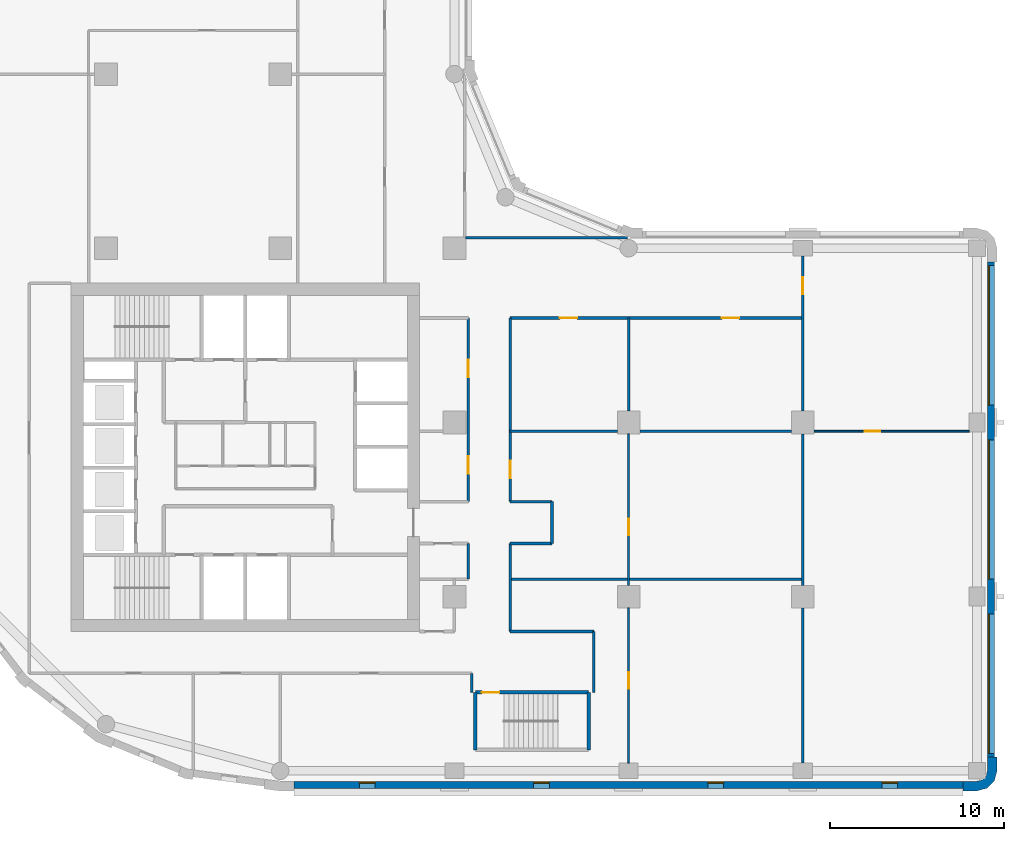
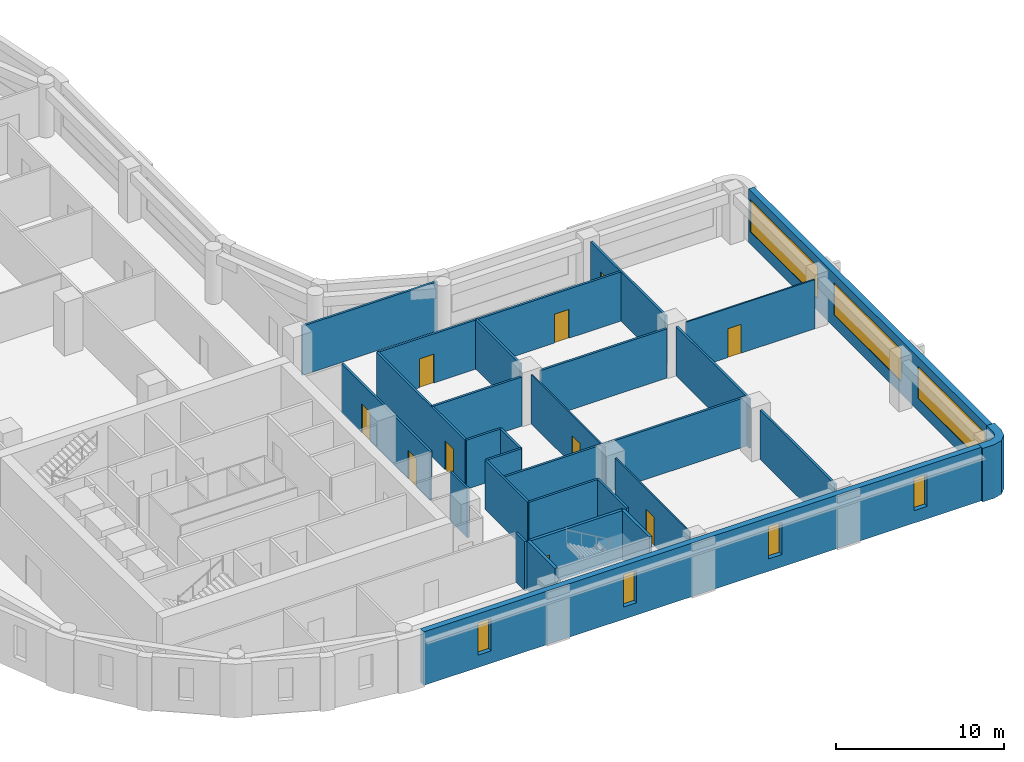
# One storey, part 4 of 9: 28 walls, 10 doors, 7 windows, 17 openings.
"""IFC4 building model written with IfcOpenShell, lengths in metres."""

from ifc_helpers import new_model, si_unit, direction, frame, frame_2d, origin, place, context, subcontext, project, spatial, polyline, rectangle, outline, extrude, material, layer, layer_set, type_object, element, fill, save


model = new_model("IFC4")

# Units and contexts
model_context = context("Model", 3, precision=1e-05, world=origin(), true_north=direction((0.0, 1.0)))
body_context = subcontext(model_context, "Body", "Model", "MODEL_VIEW")
ifc_project = project(units=[si_unit("LENGTHUNIT", "METRE"), si_unit("AREAUNIT", "SQUARE_METRE"), si_unit("VOLUMEUNIT", "CUBIC_METRE"), si_unit("PLANEANGLEUNIT", "RADIAN"), si_unit("MASSUNIT", "GRAM", prefix="KILO")], contexts=[model_context])

# Site, building, storey
site_placement = place(None, origin())
site = spatial("IfcSite", under=ifc_project, at=site_placement, CompositionType="ELEMENT")
building_placement = place(site_placement, origin())
building = spatial("IfcBuilding", under=site, at=building_placement, Name="Qaws Garden Tower", CompositionType="ELEMENT")
storey_placement = place(building_placement, frame((0.0, 0.0, 155.10009765625)))
storey = spatial("IfcBuildingStorey", under=building, at=storey_placement, Name="L37", CompositionType="ELEMENT", Elevation=155.10009765625)

# Wall
ifc_material_1 = material(Name="Clay facing brick masonry", Category="masonry")
ifc_layer_1 = layer(ifc_material_1, 0.550048828125)
ifc_layer_set_1 = layer_set([ifc_layer_1], Name="Clay facing brick masonry")
wall_type_1 = type_object("IfcWallType", Name="Brick corner pier 550 x 2400", PredefinedType="SOLIDWALL", material=ifc_layer_set_1)
wall_1_placement = place(storey_placement, origin())
element("IfcWall", 1, at=wall_1_placement, inside=storey, type_object=wall_type_1, Name="E-L37-pier-04", PredefinedType="SOLIDWALL", context=body_context, shape_type="SweptSolid", body=[
    extrude(outline(polyline([(59.199951171875, -1.0), (59.199951171875, -1.14990234375), (60.0, -1.14990234375), (60.574951171875, -0.995849609375), (60.995849609375, -0.574951171875), (61.14990234375, 0.0), (61.14990234375, 0.800048828125), (61.0, 0.800048828125), (60.60009765625, 0.800048828125), (60.60009765625, 0.0), (60.51953125, -0.300048828125), (60.300048828125, -0.51953125), (60.0, -0.60009765625), (59.199951171875, -0.60009765625), (59.199951171875, -1.0)])), origin(), (0.0, 0.0, 1.0), 3.89990234375),
])

# Wall, openings, windows
ifc_material_2 = material(Name="Clay facing brick masonry", Category="masonry")
ifc_layer_2 = layer(ifc_material_2, 0.39990234375)
ifc_layer_set_2 = layer_set([ifc_layer_2], Name="Clay facing brick masonry")
wall_type_2 = type_object("IfcWallType", Name="Brick infill wall 400", PredefinedType="SOLIDWALL", material=ifc_layer_set_2)
wall_2_placement = place(storey_placement, frame((20.800048828125, -0.800048828125, 0.0), z_axis=(0.0, 0.0, 1.0), x_axis=(1.0, 0.0, 0.0)))
wall_2 = element("IfcWall", 2, at=wall_2_placement, inside=storey, type_object=wall_type_2, Name="E-L37-infill-00", PredefinedType="SOLIDWALL", context=body_context, shape_type="SweptSolid", body=[
    extrude(rectangle(XDim=38.39990234375, YDim=0.39990234375, at=frame_2d((19.199951171875, 0.0))), origin(), (0.0, 0.0, 1.0), 3.89990234375),
])
opening_1_placement = place(wall_2_placement, frame((3.75, 0.0, 0.89990234375)))
opening_1 = element("IfcOpeningElement", 3, at=opening_1_placement, cuts=wall_2, Name="Opening W09", PredefinedType="OPENING", context=body_context, shape_type="SweptSolid", body=[
    extrude(rectangle(XDim=0.89990234375, YDim=2.35009765625, at=frame_2d((0.449951171875, 1.175048828125))), frame((0.0, 0.2099609375, 0.0), z_axis=(0.0, -1.0, 0.0), x_axis=(1.0, 0.0, 0.0)), (0.0, 0.0, 1.0), 0.419921875),
])
opening_2_placement = place(wall_2_placement, frame((13.75, 0.0, 0.89990234375)))
opening_2 = element("IfcOpeningElement", 4, at=opening_2_placement, cuts=wall_2, Name="Opening W09", PredefinedType="OPENING", context=body_context, shape_type="SweptSolid", body=[
    extrude(rectangle(XDim=0.89990234375, YDim=2.35009765625, at=frame_2d((0.449951171875, 1.175048828125))), frame((0.0, 0.2099609375, 0.0), z_axis=(0.0, -1.0, 0.0), x_axis=(1.0, 0.0, 0.0)), (0.0, 0.0, 1.0), 0.419921875),
])
opening_3_placement = place(wall_2_placement, frame((23.75, 0.0, 0.89990234375)))
opening_3 = element("IfcOpeningElement", 5, at=opening_3_placement, cuts=wall_2, Name="Opening W09", PredefinedType="OPENING", context=body_context, shape_type="SweptSolid", body=[
    extrude(rectangle(XDim=0.89990234375, YDim=2.35009765625, at=frame_2d((0.449951171875, 1.175048828125))), frame((0.0, 0.2099609375, 0.0), z_axis=(0.0, -1.0, 0.0), x_axis=(1.0, 0.0, 0.0)), (0.0, 0.0, 1.0), 0.419921875),
])
opening_4_placement = place(wall_2_placement, frame((33.75, 0.0, 0.89990234375)))
opening_4 = element("IfcOpeningElement", 6, at=opening_4_placement, cuts=wall_2, Name="Opening W09", PredefinedType="OPENING", context=body_context, shape_type="SweptSolid", body=[
    extrude(rectangle(XDim=0.89990234375, YDim=2.35009765625, at=frame_2d((0.449951171875, 1.175048828125))), frame((0.0, 0.2099609375, 0.0), z_axis=(0.0, -1.0, 0.0), x_axis=(1.0, 0.0, 0.0)), (0.0, 0.0, 1.0), 0.419921875),
])
ifc_material_3 = material(Name="Aluminium framed window, clear glazing", Category="aluminium")
window_type_1 = type_object("IfcWindowType", Name="Slit window 900 x 2350", PartitioningType="SINGLE_PANEL", PredefinedType="WINDOW", material=ifc_material_3)
window_1_placement = place(opening_1_placement, origin())
window_1 = element("IfcWindow", 7, at=window_1_placement, inside=storey, type_object=window_type_1, Name="E-L37-window-00-0", OverallHeight=2.35009765625, OverallWidth=0.89990234375, PartitioningType="SINGLE_PANEL", PredefinedType="WINDOW", context=body_context, shape_type="SweptSolid", body=[
    extrude(rectangle(XDim=0.89990234375, YDim=2.35009765625, at=frame_2d((0.449951171875, 1.175048828125))), frame((0.0, 0.159912109375, 0.0), z_axis=(0.0, -1.0, 0.0), x_axis=(1.0, 0.0, 0.0)), (0.0, 0.0, 1.0), 0.06005859375),
])
fill(opening_1, window_1)
window_2_placement = place(opening_2_placement, origin())
window_2 = element("IfcWindow", 8, at=window_2_placement, inside=storey, type_object=window_type_1, Name="E-L37-window-01-0", OverallHeight=2.35009765625, OverallWidth=0.89990234375, PartitioningType="SINGLE_PANEL", PredefinedType="WINDOW", context=body_context, shape_type="SweptSolid", body=[
    extrude(rectangle(XDim=0.89990234375, YDim=2.35009765625, at=frame_2d((0.449951171875, 1.175048828125))), frame((0.0, 0.159912109375, 0.0), z_axis=(0.0, -1.0, 0.0), x_axis=(1.0, 0.0, 0.0)), (0.0, 0.0, 1.0), 0.06005859375),
])
fill(opening_2, window_2)
window_3_placement = place(opening_3_placement, origin())
window_3 = element("IfcWindow", 9, at=window_3_placement, inside=storey, type_object=window_type_1, Name="E-L37-window-02-0", OverallHeight=2.35009765625, OverallWidth=0.89990234375, PartitioningType="SINGLE_PANEL", PredefinedType="WINDOW", context=body_context, shape_type="SweptSolid", body=[
    extrude(rectangle(XDim=0.89990234375, YDim=2.35009765625, at=frame_2d((0.449951171875, 1.175048828125))), frame((0.0, 0.159912109375, 0.0), z_axis=(0.0, -1.0, 0.0), x_axis=(1.0, 0.0, 0.0)), (0.0, 0.0, 1.0), 0.06005859375),
])
fill(opening_3, window_3)
window_4_placement = place(opening_4_placement, origin())
window_4 = element("IfcWindow", 10, at=window_4_placement, inside=storey, type_object=window_type_1, Name="E-L37-window-03-0", OverallHeight=2.35009765625, OverallWidth=0.89990234375, PartitioningType="SINGLE_PANEL", PredefinedType="WINDOW", context=body_context, shape_type="SweptSolid", body=[
    extrude(rectangle(XDim=0.89990234375, YDim=2.35009765625, at=frame_2d((0.449951171875, 1.175048828125))), frame((0.0, 0.159912109375, 0.0), z_axis=(0.0, -1.0, 0.0), x_axis=(1.0, 0.0, 0.0)), (0.0, 0.0, 1.0), 0.06005859375),
])
fill(opening_4, window_4)

wall_3_placement = place(storey_placement, frame((60.800048828125, 0.800048828125, 0.0), z_axis=(0.0, 0.0, 1.0), x_axis=(0.0, 1.0, 0.0)))
wall_3 = element("IfcWall", 11, at=wall_3_placement, inside=storey, type_object=wall_type_2, Name="E-L37-infill-04", PredefinedType="SOLIDWALL", context=body_context, shape_type="SweptSolid", body=[
    extrude(rectangle(XDim=28.39990234375, YDim=0.39990234375, at=frame_2d((14.199951171875, 0.0))), origin(), (0.0, 0.0, 1.0), 3.89990234375),
])
opening_5_placement = place(wall_3_placement, frame((0.199951171875, 0.0, 0.89990234375)))
opening_5 = element("IfcOpeningElement", 12, at=opening_5_placement, cuts=wall_3, Name="Opening W01", PredefinedType="OPENING", context=body_context, shape_type="SweptSolid", body=[
    extrude(rectangle(XDim=8.0, YDim=2.35009765625, at=frame_2d((4.0, 1.175048828125))), frame((0.0, 0.2099609375, 0.0), z_axis=(0.0, -1.0, 0.0), x_axis=(1.0, 0.0, 0.0)), (0.0, 0.0, 1.0), 0.419921875),
])
opening_6_placement = place(wall_3_placement, frame((10.199951171875, 0.0, 0.89990234375)))
opening_6 = element("IfcOpeningElement", 13, at=opening_6_placement, cuts=wall_3, Name="Opening W01", PredefinedType="OPENING", context=body_context, shape_type="SweptSolid", body=[
    extrude(rectangle(XDim=8.0, YDim=2.35009765625, at=frame_2d((4.0, 1.175048828125))), frame((0.0, 0.2099609375, 0.0), z_axis=(0.0, -1.0, 0.0), x_axis=(1.0, 0.0, 0.0)), (0.0, 0.0, 1.0), 0.419921875),
])
opening_7_placement = place(wall_3_placement, frame((20.199951171875, 0.0, 0.89990234375)))
opening_7 = element("IfcOpeningElement", 14, at=opening_7_placement, cuts=wall_3, Name="Opening W01", PredefinedType="OPENING", context=body_context, shape_type="SweptSolid", body=[
    extrude(rectangle(XDim=8.0, YDim=2.35009765625, at=frame_2d((4.0, 1.175048828125))), frame((0.0, 0.2099609375, 0.0), z_axis=(0.0, -1.0, 0.0), x_axis=(1.0, 0.0, 0.0)), (0.0, 0.0, 1.0), 0.419921875),
])
ifc_material_4 = material(Name="Aluminium framed window, clear glazing", Category="aluminium")
window_type_2 = type_object("IfcWindowType", Name="Ribbon window 8000 x 2350", PartitioningType="DOUBLE_PANEL_VERTICAL", PredefinedType="WINDOW", material=ifc_material_4)
window_5_placement = place(opening_5_placement, origin())
window_5 = element("IfcWindow", 15, at=window_5_placement, inside=storey, type_object=window_type_2, Name="E-L37-window-04-0", OverallHeight=2.35009765625, OverallWidth=8.0, PartitioningType="SINGLE_PANEL", PredefinedType="WINDOW", context=body_context, shape_type="SweptSolid", body=[
    extrude(rectangle(XDim=8.0, YDim=2.35009765625, at=frame_2d((4.0, 1.175048828125))), frame((0.0, 0.159912109375, 0.0), z_axis=(0.0, -1.0, 0.0), x_axis=(1.0, 0.0, 0.0)), (0.0, 0.0, 1.0), 0.06005859375),
])
fill(opening_5, window_5)
window_6_placement = place(opening_6_placement, origin())
window_6 = element("IfcWindow", 16, at=window_6_placement, inside=storey, type_object=window_type_2, Name="E-L37-window-05-0", OverallHeight=2.35009765625, OverallWidth=8.0, PartitioningType="SINGLE_PANEL", PredefinedType="WINDOW", context=body_context, shape_type="SweptSolid", body=[
    extrude(rectangle(XDim=8.0, YDim=2.35009765625, at=frame_2d((4.0, 1.175048828125))), frame((0.0, 0.159912109375, 0.0), z_axis=(0.0, -1.0, 0.0), x_axis=(1.0, 0.0, 0.0)), (0.0, 0.0, 1.0), 0.06005859375),
])
fill(opening_6, window_6)
window_7_placement = place(opening_7_placement, origin())
window_7 = element("IfcWindow", 17, at=window_7_placement, inside=storey, type_object=window_type_2, Name="E-L37-window-06-0", OverallHeight=2.35009765625, OverallWidth=8.0, PartitioningType="SINGLE_PANEL", PredefinedType="WINDOW", context=body_context, shape_type="SweptSolid", body=[
    extrude(rectangle(XDim=8.0, YDim=2.35009765625, at=frame_2d((4.0, 1.175048828125))), frame((0.0, 0.159912109375, 0.0), z_axis=(0.0, -1.0, 0.0), x_axis=(1.0, 0.0, 0.0)), (0.0, 0.0, 1.0), 0.06005859375),
])
fill(opening_7, window_7)

# Wall, opening, door
ifc_material_5 = material(Name="Concrete C70", Category="concrete")
ifc_layer_3 = layer(ifc_material_5, 0.199951171875)
ifc_layer_set_3 = layer_set([ifc_layer_3], Name="Concrete C70")
wall_type_3 = type_object("IfcWallType", Name="Core shaft wall 200 C70", PredefinedType="SHEAR", material=ifc_layer_set_3)
wall_4_placement = place(storey_placement, frame((31.199951171875, 4.5, 0.0), z_axis=(0.0, 0.0, 1.0), x_axis=(1.0, 0.0, 0.0)))
wall_4 = element("IfcWall", 18, at=wall_4_placement, inside=storey, type_object=wall_type_3, Name="Shaft wall", PredefinedType="SHEAR", context=body_context, shape_type="SweptSolid", body=[
    extrude(rectangle(XDim=6.5, YDim=0.199951171875, at=frame_2d((3.25, 0.0))), origin(), (0.0, 0.0, 1.0), 3.579833984375),
])
opening_8_placement = place(wall_4_placement, frame((0.375, 0.0, 0.0)))
opening_8 = element("IfcOpeningElement", 19, at=opening_8_placement, cuts=wall_4, Name="Opening SD12", PredefinedType="OPENING", context=body_context, shape_type="SweptSolid", body=[
    extrude(rectangle(XDim=1.0, YDim=2.10009765625, at=frame_2d((0.5, 1.050048828125))), frame((0.0, 0.10986328125, 0.0), z_axis=(0.0, -1.0, 0.0), x_axis=(1.0, 0.0, 0.0)), (0.0, 0.0, 1.0), 0.219970703125),
])
ifc_material_6 = material(Name="Steel S235", Category="steel")
door_type_1 = type_object("IfcDoorType", Name="Stair door 1000x2100", OperationType="SINGLE_SWING_RIGHT", PredefinedType="DOOR", material=ifc_material_6)
door_1_placement = place(opening_8_placement, frame((1.0, 0.0, 0.0), z_axis=(0.0, 0.0, 1.0), x_axis=(-1.0, 0.0, 0.0)))
door_1 = element("IfcDoor", 20, at=door_1_placement, inside=storey, type_object=door_type_1, Name="Stair 5 door", OperationType="SINGLE_SWING_RIGHT", OverallHeight=2.10009765625, OverallWidth=1.0, PredefinedType="DOOR", context=body_context, shape_type="SweptSolid", body=[
    extrude(rectangle(XDim=1.0, YDim=2.10009765625, at=frame_2d((0.5, 1.050048828125))), frame((0.0, 0.02490234375, 0.0), z_axis=(0.0, -1.0, 0.0), x_axis=(1.0, 0.0, 0.0)), (0.0, 0.0, 1.0), 0.050048828125),
])
fill(opening_8, door_1)

# Walls
for number, where, z_axis, x_axis, name in (
    (21, (31.199951171875, 1.199951171875, 0.0), (0.0, 0.0, 1.0), (0.0, 1.0, 0.0), "Shaft wall"),
    (22, (37.699951171875, 1.199951171875, 0.0), (0.0, 0.0, 1.0), (0.0, 1.0, 0.0), "Shaft wall"),
):
    element("IfcWall", number, at=place(storey_placement, frame(where, z_axis=z_axis, x_axis=x_axis)), inside=storey, type_object=wall_type_3, Name=name, PredefinedType="SHEAR", context=body_context, shape_type="SweptSolid", body=[
        extrude(rectangle(XDim=3.300048828125, YDim=0.199951171875, at=frame_2d((1.64990234375, 0.0))), origin(), (0.0, 0.0, 1.0), 3.579833984375),
    ])

# Wall, opening, door
ifc_material_7 = material(Name="Gypsum board partition")
ifc_layer_4 = layer(ifc_material_7, 0.10009765625)
ifc_layer_set_4 = layer_set([ifc_layer_4], Name="Gypsum board partition")
wall_type_4 = type_object("IfcWallType", Name="PARTITION 100", PredefinedType="PARTITIONING", material=ifc_layer_set_4)
wall_5_placement = place(storey_placement, frame((40.0, 0.449951171875, 0.0), z_axis=(0.0, 0.0, 1.0), x_axis=(0.0, 1.0, 0.0)))
wall_5 = element("IfcWall", 23, at=wall_5_placement, inside=storey, type_object=wall_type_4, Name="O-L37-wall-002", PredefinedType="PARTITIONING", context=body_context, shape_type="SweptSolid", body=[
    extrude(rectangle(XDim=8.900146484375, YDim=0.10009765625, at=frame_2d((4.4501953125, 0.0))), origin(), (0.0, 0.0, 1.0), 3.579833984375),
])
opening_9_placement = place(wall_5_placement, frame((4.27490234375, 0.0, 0.0)))
opening_9 = element("IfcOpeningElement", 24, at=opening_9_placement, cuts=wall_5, Name="Opening B322", PredefinedType="OPENING", context=body_context, shape_type="SweptSolid", body=[
    extrude(rectangle(XDim=0.949951171875, YDim=2.10009765625, at=frame_2d((0.47509765625, 1.050048828125))), frame((0.0, 0.06005859375, 0.0), z_axis=(0.0, -1.0, 0.0), x_axis=(1.0, 0.0, 0.0)), (0.0, 0.0, 1.0), 0.1201171875),
])
ifc_material_8 = material(Name="Timber and glass door leaf", Category="wood")
door_type_2 = type_object("IfcDoorType", Name="GLAZED DOOR 950 X 2100", OperationType="SINGLE_SWING_LEFT", PredefinedType="DOOR", material=ifc_material_8)
door_2_placement = place(opening_9_placement, frame((0.949951171875, 0.0, 0.0), z_axis=(0.0, 0.0, 1.0), x_axis=(-1.0, 0.0, 0.0)))
door_2 = element("IfcDoor", 25, at=door_2_placement, inside=storey, type_object=door_type_2, Name="O-L37-door-022", OperationType="SINGLE_SWING_LEFT", OverallHeight=2.10009765625, OverallWidth=0.949951171875, PredefinedType="DOOR", context=body_context, shape_type="SweptSolid", body=[
    extrude(rectangle(XDim=0.949951171875, YDim=2.10009765625, at=frame_2d((0.47509765625, 1.050048828125))), frame((0.0, 0.02490234375, 0.0), z_axis=(0.0, -1.0, 0.0), x_axis=(1.0, 0.0, 0.0)), (0.0, 0.0, 1.0), 0.050048828125),
])
fill(opening_9, door_2)

wall_6_placement = place(storey_placement, frame((40.0, 10.64990234375, 0.0), z_axis=(0.0, 0.0, 1.0), x_axis=(0.0, 1.0, 0.0)))
wall_6 = element("IfcWall", 26, at=wall_6_placement, inside=storey, type_object=wall_type_4, Name="O-L37-wall-003", PredefinedType="PARTITIONING", context=body_context, shape_type="SweptSolid", body=[
    extrude(rectangle(XDim=8.7001953125, YDim=0.10009765625, at=frame_2d((4.35009765625, 0.0))), origin(), (0.0, 0.0, 1.0), 3.579833984375),
])
opening_10_placement = place(wall_6_placement, frame((2.875, 0.0, 0.0)))
opening_10 = element("IfcOpeningElement", 27, at=opening_10_placement, cuts=wall_6, Name="Opening B325", PredefinedType="OPENING", context=body_context, shape_type="SweptSolid", body=[
    extrude(rectangle(XDim=0.949951171875, YDim=2.10009765625, at=frame_2d((0.47509765625, 1.050048828125))), frame((0.0, 0.06005859375, 0.0), z_axis=(0.0, -1.0, 0.0), x_axis=(1.0, 0.0, 0.0)), (0.0, 0.0, 1.0), 0.1201171875),
])
door_3_placement = place(opening_10_placement, origin())
door_3 = element("IfcDoor", 28, at=door_3_placement, inside=storey, type_object=door_type_2, Name="O-L37-door-025", OperationType="SINGLE_SWING_RIGHT", OverallHeight=2.10009765625, OverallWidth=0.949951171875, PredefinedType="DOOR", context=body_context, shape_type="SweptSolid", body=[
    extrude(rectangle(XDim=0.949951171875, YDim=2.10009765625, at=frame_2d((0.47509765625, 1.050048828125))), frame((0.0, 0.02490234375, 0.0), z_axis=(0.0, -1.0, 0.0), x_axis=(1.0, 0.0, 0.0)), (0.0, 0.0, 1.0), 0.050048828125),
])
fill(opening_10, door_3)

wall_7_placement = place(storey_placement, frame((50.64990234375, 19.5, 0.0), z_axis=(0.0, 0.0, 1.0), x_axis=(1.0, 0.0, 0.0)))
wall_7 = element("IfcWall", 29, at=wall_7_placement, inside=storey, type_object=wall_type_4, Name="O-L37-wall-004", PredefinedType="PARTITIONING", context=body_context, shape_type="SweptSolid", body=[
    extrude(rectangle(XDim=8.900146484375, YDim=0.10009765625, at=frame_2d((4.4501953125, 0.0))), origin(), (0.0, 0.0, 1.0), 3.579833984375),
])
opening_11_placement = place(wall_7_placement, frame((2.89990234375, 0.0, 0.0)))
opening_11 = element("IfcOpeningElement", 30, at=opening_11_placement, cuts=wall_7, Name="Opening B323", PredefinedType="OPENING", context=body_context, shape_type="SweptSolid", body=[
    extrude(rectangle(XDim=0.89990234375, YDim=2.10009765625, at=frame_2d((0.449951171875, 1.050048828125))), frame((0.0, 0.06005859375, 0.0), z_axis=(0.0, -1.0, 0.0), x_axis=(1.0, 0.0, 0.0)), (0.0, 0.0, 1.0), 0.1201171875),
])
ifc_material_9 = material(Name="Timber door leaf", Category="wood")
door_type_3 = type_object("IfcDoorType", Name="OFFICE DOOR 900 X 2100", OperationType="SINGLE_SWING_LEFT", PredefinedType="DOOR", material=ifc_material_9)
door_4_placement = place(opening_11_placement, origin())
door_4 = element("IfcDoor", 31, at=door_4_placement, inside=storey, type_object=door_type_3, Name="O-L37-door-023", OperationType="SINGLE_SWING_LEFT", OverallHeight=2.10009765625, OverallWidth=0.89990234375, PredefinedType="DOOR", context=body_context, shape_type="SweptSolid", body=[
    extrude(rectangle(XDim=0.89990234375, YDim=2.10009765625, at=frame_2d((0.449951171875, 1.050048828125))), frame((0.0, 0.02490234375, 0.0), z_axis=(0.0, -1.0, 0.0), x_axis=(1.0, 0.0, 0.0)), (0.0, 0.0, 1.0), 0.050048828125),
])
fill(opening_11, door_4)

# Wall
ifc_material_10 = material(Name="Gypsum board partition")
ifc_layer_5 = layer(ifc_material_10, 0.14990234375)
ifc_layer_set_5 = layer_set([ifc_layer_5], Name="Gypsum board partition")
wall_type_5 = type_object("IfcWallType", Name="PARTITION 150 EI 60", PredefinedType="PARTITIONING", material=ifc_layer_set_5)
wall_8_placement = place(storey_placement, frame((30.800048828125, 11.0, 0.0), z_axis=(0.0, 0.0, 1.0), x_axis=(0.0, 1.0, 0.0)))
element("IfcWall", 32, at=wall_8_placement, inside=storey, type_object=wall_type_5, Name="O-L37-wall-019", PredefinedType="PARTITIONING", context=body_context, shape_type="SweptSolid", body=[
    extrude(rectangle(XDim=2.050048828125, YDim=0.14990234375, at=frame_2d((1.02490234375, 0.0))), origin(), (0.0, 0.0, 1.0), 3.579833984375),
])

# Wall, openings, doors
wall_9_placement = place(storey_placement, frame((30.800048828125, 15.449951171875, 0.0), z_axis=(0.0, 0.0, 1.0), x_axis=(0.0, 1.0, 0.0)))
wall_9 = element("IfcWall", 33, at=wall_9_placement, inside=storey, type_object=wall_type_5, Name="O-L37-wall-020", PredefinedType="PARTITIONING", context=body_context, shape_type="SweptSolid", body=[
    extrude(rectangle(XDim=10.550048828125, YDim=0.14990234375, at=frame_2d((5.27490234375, 0.0))), origin(), (0.0, 0.0, 1.0), 3.579833984375),
])
opening_12_placement = place(wall_9_placement, frame((7.14990234375, 0.0, 0.0)))
opening_12 = element("IfcOpeningElement", 34, at=opening_12_placement, cuts=wall_9, Name="Opening B310", PredefinedType="OPENING", context=body_context, shape_type="SweptSolid", body=[
    extrude(rectangle(XDim=1.0, YDim=2.10009765625, at=frame_2d((0.5, 1.050048828125))), frame((0.0, 0.0849609375, 0.0), z_axis=(0.0, -1.0, 0.0), x_axis=(1.0, 0.0, 0.0)), (0.0, 0.0, 1.0), 0.169921875),
])
opening_13_placement = place(wall_9_placement, frame((1.60009765625, 0.0, 0.0)))
opening_13 = element("IfcOpeningElement", 35, at=opening_13_placement, cuts=wall_9, Name="Opening B321", PredefinedType="OPENING", context=body_context, shape_type="SweptSolid", body=[
    extrude(rectangle(XDim=1.0, YDim=2.10009765625, at=frame_2d((0.5, 1.050048828125))), frame((0.0, 0.0849609375, 0.0), z_axis=(0.0, -1.0, 0.0), x_axis=(1.0, 0.0, 0.0)), (0.0, 0.0, 1.0), 0.169921875),
])
ifc_material_11 = material(Name="Timber door leaf", Category="wood")
door_type_4 = type_object("IfcDoorType", Name="TENANCY ENTRANCE DOOR 1000 X 2100", OperationType="SINGLE_SWING_LEFT", PredefinedType="DOOR", material=ifc_material_11)
door_5_placement = place(opening_12_placement, origin())
door_5 = element("IfcDoor", 36, at=door_5_placement, inside=storey, type_object=door_type_4, Name="O-L37-door-010", OperationType="SINGLE_SWING_RIGHT", OverallHeight=2.10009765625, OverallWidth=1.0, PredefinedType="DOOR", context=body_context, shape_type="SweptSolid", body=[
    extrude(rectangle(XDim=1.0, YDim=2.10009765625, at=frame_2d((0.5, 1.050048828125))), frame((0.0, 0.02490234375, 0.0), z_axis=(0.0, -1.0, 0.0), x_axis=(1.0, 0.0, 0.0)), (0.0, 0.0, 1.0), 0.050048828125),
])
fill(opening_12, door_5)
door_6_placement = place(opening_13_placement, origin())
door_6 = element("IfcDoor", 37, at=door_6_placement, inside=storey, type_object=door_type_4, Name="O-L37-door-021", OperationType="SINGLE_SWING_RIGHT", OverallHeight=2.10009765625, OverallWidth=1.0, PredefinedType="DOOR", context=body_context, shape_type="SweptSolid", body=[
    extrude(rectangle(XDim=1.0, YDim=2.10009765625, at=frame_2d((0.5, 1.050048828125))), frame((0.0, 0.02490234375, 0.0), z_axis=(0.0, -1.0, 0.0), x_axis=(1.0, 0.0, 0.0)), (0.0, 0.0, 1.0), 0.050048828125),
])
fill(opening_13, door_6)

# Walls
wall_10_placement = place(storey_placement, frame((31.0, 4.5, 0.0), z_axis=(0.0, 0.0, 1.0), x_axis=(0.0, 1.0, 0.0)))
element("IfcWall", 38, at=wall_10_placement, inside=storey, type_object=wall_type_5, Name="O-L37-wall-021", PredefinedType="PARTITIONING", context=body_context, shape_type="SweptSolid", body=[
    extrude(rectangle(XDim=1.10009765625, YDim=0.14990234375, at=frame_2d((0.550048828125, 0.0))), origin(), (0.0, 0.0, 1.0), 3.579833984375),
])
wall_11_placement = place(storey_placement, frame((33.199951171875, 8.0, 0.0), z_axis=(0.0, 0.0, 1.0), x_axis=(0.0, 1.0, 0.0)))
element("IfcWall", 39, at=wall_11_placement, inside=storey, type_object=wall_type_5, Name="O-L37-wall-022", PredefinedType="PARTITIONING", context=body_context, shape_type="SweptSolid", body=[
    extrude(rectangle(XDim=5.050048828125, YDim=0.14990234375, at=frame_2d((2.52490234375, 0.0))), origin(), (0.0, 0.0, 1.0), 3.579833984375),
])

# Wall, opening, door
wall_12_placement = place(storey_placement, frame((33.199951171875, 15.449951171875, 0.0), z_axis=(0.0, 0.0, 1.0), x_axis=(0.0, 1.0, 0.0)))
wall_12 = element("IfcWall", 40, at=wall_12_placement, inside=storey, type_object=wall_type_5, Name="O-L37-wall-023", PredefinedType="PARTITIONING", context=body_context, shape_type="SweptSolid", body=[
    extrude(rectangle(XDim=10.550048828125, YDim=0.14990234375, at=frame_2d((5.27490234375, 0.0))), origin(), (0.0, 0.0, 1.0), 3.579833984375),
])
opening_14_placement = place(wall_12_placement, frame((1.35009765625, 0.0, 0.0)))
opening_14 = element("IfcOpeningElement", 41, at=opening_14_placement, cuts=wall_12, Name="Opening B320", PredefinedType="OPENING", context=body_context, shape_type="SweptSolid", body=[
    extrude(rectangle(XDim=1.0, YDim=2.10009765625, at=frame_2d((0.5, 1.050048828125))), frame((0.0, 0.0849609375, 0.0), z_axis=(0.0, -1.0, 0.0), x_axis=(1.0, 0.0, 0.0)), (0.0, 0.0, 1.0), 0.169921875),
])
door_7_placement = place(opening_14_placement, frame((1.0, 0.0, 0.0), z_axis=(0.0, 0.0, 1.0), x_axis=(-1.0, 0.0, 0.0)))
door_7 = element("IfcDoor", 42, at=door_7_placement, inside=storey, type_object=door_type_4, Name="O-L37-door-020", OperationType="SINGLE_SWING_RIGHT", OverallHeight=2.10009765625, OverallWidth=1.0, PredefinedType="DOOR", context=body_context, shape_type="SweptSolid", body=[
    extrude(rectangle(XDim=1.0, YDim=2.10009765625, at=frame_2d((0.5, 1.050048828125))), frame((0.0, 0.02490234375, 0.0), z_axis=(0.0, -1.0, 0.0), x_axis=(1.0, 0.0, 0.0)), (0.0, 0.0, 1.0), 0.050048828125),
])
fill(opening_14, door_7)

# Walls
wall_13_placement = place(storey_placement, frame((35.60009765625, 13.050048828125, 0.0), z_axis=(0.0, 0.0, 1.0), x_axis=(0.0, 1.0, 0.0)))
element("IfcWall", 43, at=wall_13_placement, inside=storey, type_object=wall_type_5, Name="O-L37-wall-024", PredefinedType="PARTITIONING", context=body_context, shape_type="SweptSolid", body=[
    extrude(rectangle(XDim=2.39990234375, YDim=0.14990234375, at=frame_2d((1.199951171875, 0.0))), origin(), (0.0, 0.0, 1.0), 3.579833984375),
])
wall_14_placement = place(storey_placement, frame((38.0, 4.5, 0.0), z_axis=(0.0, 0.0, 1.0), x_axis=(0.0, 1.0, 0.0)))
element("IfcWall", 44, at=wall_14_placement, inside=storey, type_object=wall_type_5, Name="O-L37-wall-025", PredefinedType="PARTITIONING", context=body_context, shape_type="SweptSolid", body=[
    extrude(rectangle(XDim=3.5, YDim=0.14990234375, at=frame_2d((1.75, 0.0))), origin(), (0.0, 0.0, 1.0), 3.579833984375),
])
wall_15_placement = place(storey_placement, frame((40.0, 20.64990234375, 0.0), z_axis=(0.0, 0.0, 1.0), x_axis=(0.0, 1.0, 0.0)))
element("IfcWall", 45, at=wall_15_placement, inside=storey, type_object=wall_type_5, Name="O-L37-wall-026", PredefinedType="PARTITIONING", context=body_context, shape_type="SweptSolid", body=[
    extrude(rectangle(XDim=5.35009765625, YDim=0.14990234375, at=frame_2d((2.675048828125, 0.0))), origin(), (0.0, 0.0, 1.0), 3.579833984375),
])
wall_16_placement = place(storey_placement, frame((50.0, 0.449951171875, 0.0), z_axis=(0.0, 0.0, 1.0), x_axis=(0.0, 1.0, 0.0)))
element("IfcWall", 46, at=wall_16_placement, inside=storey, type_object=wall_type_5, Name="O-L37-wall-027", PredefinedType="PARTITIONING", context=body_context, shape_type="SweptSolid", body=[
    extrude(rectangle(XDim=8.900146484375, YDim=0.14990234375, at=frame_2d((4.4501953125, 0.0))), origin(), (0.0, 0.0, 1.0), 3.579833984375),
])
wall_17_placement = place(storey_placement, frame((50.0, 10.64990234375, 0.0), z_axis=(0.0, 0.0, 1.0), x_axis=(0.0, 1.0, 0.0)))
element("IfcWall", 47, at=wall_17_placement, inside=storey, type_object=wall_type_5, Name="O-L37-wall-028", PredefinedType="PARTITIONING", context=body_context, shape_type="SweptSolid", body=[
    extrude(rectangle(XDim=8.7001953125, YDim=0.14990234375, at=frame_2d((4.35009765625, 0.0))), origin(), (0.0, 0.0, 1.0), 3.579833984375),
])

# Wall, opening, door
wall_18_placement = place(storey_placement, frame((50.0, 20.64990234375, 0.0), z_axis=(0.0, 0.0, 1.0), x_axis=(0.0, 1.0, 0.0)))
wall_18 = element("IfcWall", 48, at=wall_18_placement, inside=storey, type_object=wall_type_5, Name="O-L37-wall-029", PredefinedType="PARTITIONING", context=body_context, shape_type="SweptSolid", body=[
    extrude(rectangle(XDim=8.900146484375, YDim=0.14990234375, at=frame_2d((4.4501953125, 0.0))), origin(), (0.0, 0.0, 1.0), 3.579833984375),
])
opening_15_placement = place(wall_18_placement, frame((6.699951171875, 0.0, 0.0)))
opening_15 = element("IfcOpeningElement", 49, at=opening_15_placement, cuts=wall_18, Name="Opening B318", PredefinedType="OPENING", context=body_context, shape_type="SweptSolid", body=[
    extrude(rectangle(XDim=1.0, YDim=2.10009765625, at=frame_2d((0.5, 1.050048828125))), frame((0.0, 0.0849609375, 0.0), z_axis=(0.0, -1.0, 0.0), x_axis=(1.0, 0.0, 0.0)), (0.0, 0.0, 1.0), 0.169921875),
])
door_8_placement = place(opening_15_placement, frame((1.0, 0.0, 0.0), z_axis=(0.0, 0.0, 1.0), x_axis=(-1.0, 0.0, 0.0)))
door_8 = element("IfcDoor", 50, at=door_8_placement, inside=storey, type_object=door_type_4, Name="O-L37-door-018", OperationType="SINGLE_SWING_LEFT", OverallHeight=2.10009765625, OverallWidth=1.0, PredefinedType="DOOR", context=body_context, shape_type="SweptSolid", body=[
    extrude(rectangle(XDim=1.0, YDim=2.10009765625, at=frame_2d((0.5, 1.050048828125))), frame((0.0, 0.02490234375, 0.0), z_axis=(0.0, -1.0, 0.0), x_axis=(1.0, 0.0, 0.0)), (0.0, 0.0, 1.0), 0.050048828125),
])
fill(opening_15, door_8)

# Walls
wall_19_placement = place(storey_placement, frame((33.199951171875, 8.0, 0.0), z_axis=(0.0, 0.0, 1.0), x_axis=(1.0, 0.0, 0.0)))
element("IfcWall", 51, at=wall_19_placement, inside=storey, type_object=wall_type_5, Name="O-L37-wall-032", PredefinedType="PARTITIONING", context=body_context, shape_type="SweptSolid", body=[
    extrude(rectangle(XDim=4.800048828125, YDim=0.14990234375, at=frame_2d((2.39990234375, 0.0))), origin(), (0.0, 0.0, 1.0), 3.579833984375),
])
wall_20_placement = place(storey_placement, frame((33.199951171875, 11.0, 0.0), z_axis=(0.0, 0.0, 1.0), x_axis=(1.0, 0.0, 0.0)))
element("IfcWall", 52, at=wall_20_placement, inside=storey, type_object=wall_type_5, Name="O-L37-wall-034", PredefinedType="PARTITIONING", context=body_context, shape_type="SweptSolid", body=[
    extrude(rectangle(XDim=16.800048828125, YDim=0.14990234375, at=frame_2d((8.39990234375, 0.0))), origin(), (0.0, 0.0, 1.0), 3.579833984375),
])
for number, where, z_axis, x_axis, name in (
    (53, (33.199951171875, 13.050048828125, 0.0), (0.0, 0.0, 1.0), (1.0, 0.0, 0.0), "O-L37-wall-036"),
    (54, (33.199951171875, 15.449951171875, 0.0), (0.0, 0.0, 1.0), (1.0, 0.0, 0.0), "O-L37-wall-038"),
):
    element("IfcWall", number, at=place(storey_placement, frame(where, z_axis=z_axis, x_axis=x_axis)), inside=storey, type_object=wall_type_5, Name=name, PredefinedType="PARTITIONING", context=body_context, shape_type="SweptSolid", body=[
        extrude(rectangle(XDim=2.400146484375, YDim=0.14990234375, at=frame_2d((1.2001953125, 0.0))), origin(), (0.0, 0.0, 1.0), 3.579833984375),
    ])
wall_21_placement = place(storey_placement, frame((33.199951171875, 19.5, 0.0), z_axis=(0.0, 0.0, 1.0), x_axis=(1.0, 0.0, 0.0)))
element("IfcWall", 55, at=wall_21_placement, inside=storey, type_object=wall_type_5, Name="O-L37-wall-040", PredefinedType="PARTITIONING", context=body_context, shape_type="SweptSolid", body=[
    extrude(rectangle(XDim=6.150146484375, YDim=0.14990234375, at=frame_2d((3.0751953125, 0.0))), origin(), (0.0, 0.0, 1.0), 3.579833984375),
])
wall_22_placement = place(storey_placement, frame((40.64990234375, 19.5, 0.0), z_axis=(0.0, 0.0, 1.0), x_axis=(1.0, 0.0, 0.0)))
element("IfcWall", 56, at=wall_22_placement, inside=storey, type_object=wall_type_5, Name="O-L37-wall-041", PredefinedType="PARTITIONING", context=body_context, shape_type="SweptSolid", body=[
    extrude(rectangle(XDim=8.7001953125, YDim=0.14990234375, at=frame_2d((4.35009765625, 0.0))), origin(), (0.0, 0.0, 1.0), 3.579833984375),
])

# Wall, openings, doors
wall_23_placement = place(storey_placement, frame((33.199951171875, 26.0, 0.0), z_axis=(0.0, 0.0, 1.0), x_axis=(1.0, 0.0, 0.0)))
wall_23 = element("IfcWall", 57, at=wall_23_placement, inside=storey, type_object=wall_type_5, Name="O-L37-wall-043", PredefinedType="PARTITIONING", context=body_context, shape_type="SweptSolid", body=[
    extrude(rectangle(XDim=16.800048828125, YDim=0.14990234375, at=frame_2d((8.39990234375, 0.0))), origin(), (0.0, 0.0, 1.0), 3.579833984375),
])
opening_16_placement = place(wall_23_placement, frame((2.85009765625, 0.0, 0.0)))
opening_16 = element("IfcOpeningElement", 58, at=opening_16_placement, cuts=wall_23, Name="Opening B316", PredefinedType="OPENING", context=body_context, shape_type="SweptSolid", body=[
    extrude(rectangle(XDim=1.0, YDim=2.10009765625, at=frame_2d((0.5, 1.050048828125))), frame((0.0, 0.0849609375, 0.0), z_axis=(0.0, -1.0, 0.0), x_axis=(1.0, 0.0, 0.0)), (0.0, 0.0, 1.0), 0.169921875),
])
opening_17_placement = place(wall_23_placement, frame((12.14990234375, 0.0, 0.0)))
opening_17 = element("IfcOpeningElement", 59, at=opening_17_placement, cuts=wall_23, Name="Opening B317", PredefinedType="OPENING", context=body_context, shape_type="SweptSolid", body=[
    extrude(rectangle(XDim=1.0, YDim=2.10009765625, at=frame_2d((0.5, 1.050048828125))), frame((0.0, 0.0849609375, 0.0), z_axis=(0.0, -1.0, 0.0), x_axis=(1.0, 0.0, 0.0)), (0.0, 0.0, 1.0), 0.169921875),
])
door_9_placement = place(opening_16_placement, frame((1.0, 0.0, 0.0), z_axis=(0.0, 0.0, 1.0), x_axis=(-1.0, 0.0, 0.0)))
door_9 = element("IfcDoor", 60, at=door_9_placement, inside=storey, type_object=door_type_4, Name="O-L37-door-016", OperationType="SINGLE_SWING_RIGHT", OverallHeight=2.10009765625, OverallWidth=1.0, PredefinedType="DOOR", context=body_context, shape_type="SweptSolid", body=[
    extrude(rectangle(XDim=1.0, YDim=2.10009765625, at=frame_2d((0.5, 1.050048828125))), frame((0.0, 0.02490234375, 0.0), z_axis=(0.0, -1.0, 0.0), x_axis=(1.0, 0.0, 0.0)), (0.0, 0.0, 1.0), 0.050048828125),
])
fill(opening_16, door_9)
door_10_placement = place(opening_17_placement, frame((1.0, 0.0, 0.0), z_axis=(0.0, 0.0, 1.0), x_axis=(-1.0, 0.0, 0.0)))
door_10 = element("IfcDoor", 61, at=door_10_placement, inside=storey, type_object=door_type_4, Name="O-L37-door-017", OperationType="SINGLE_SWING_RIGHT", OverallHeight=2.10009765625, OverallWidth=1.0, PredefinedType="DOOR", context=body_context, shape_type="SweptSolid", body=[
    extrude(rectangle(XDim=1.0, YDim=2.10009765625, at=frame_2d((0.5, 1.050048828125))), frame((0.0, 0.02490234375, 0.0), z_axis=(0.0, -1.0, 0.0), x_axis=(1.0, 0.0, 0.0)), (0.0, 0.0, 1.0), 0.050048828125),
])
fill(opening_17, door_10)

# Wall
wall_24_placement = place(storey_placement, frame((30.64990234375, 30.60009765625, 0.0), z_axis=(0.0, 0.0, 1.0), x_axis=(1.0, 0.0, 0.0)))
element("IfcWall", 62, at=wall_24_placement, inside=storey, type_object=wall_type_5, Name="O-L37-wall-045", PredefinedType="PARTITIONING", context=body_context, shape_type="SweptSolid", body=[
    extrude(rectangle(XDim=9.288330078125, YDim=0.14990234375, at=frame_2d((4.64404296875, 0.0))), origin(), (0.0, 0.0, 1.0), 3.579833984375),
])

save(model, "model.ifc")
